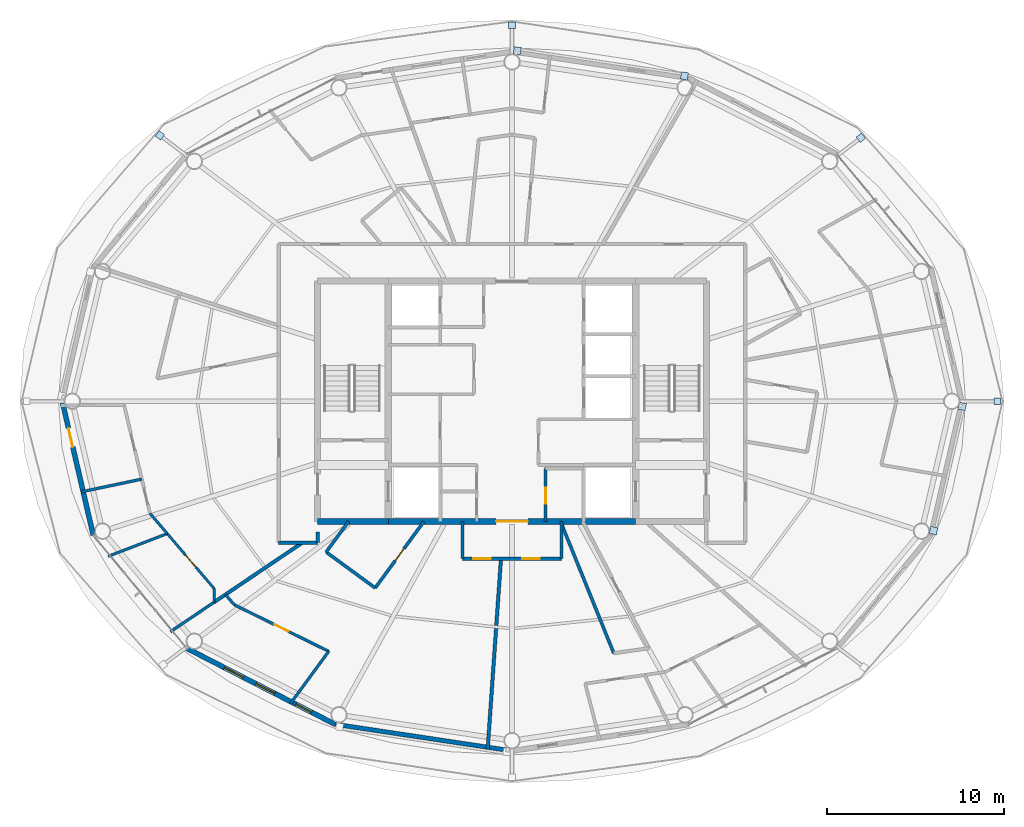
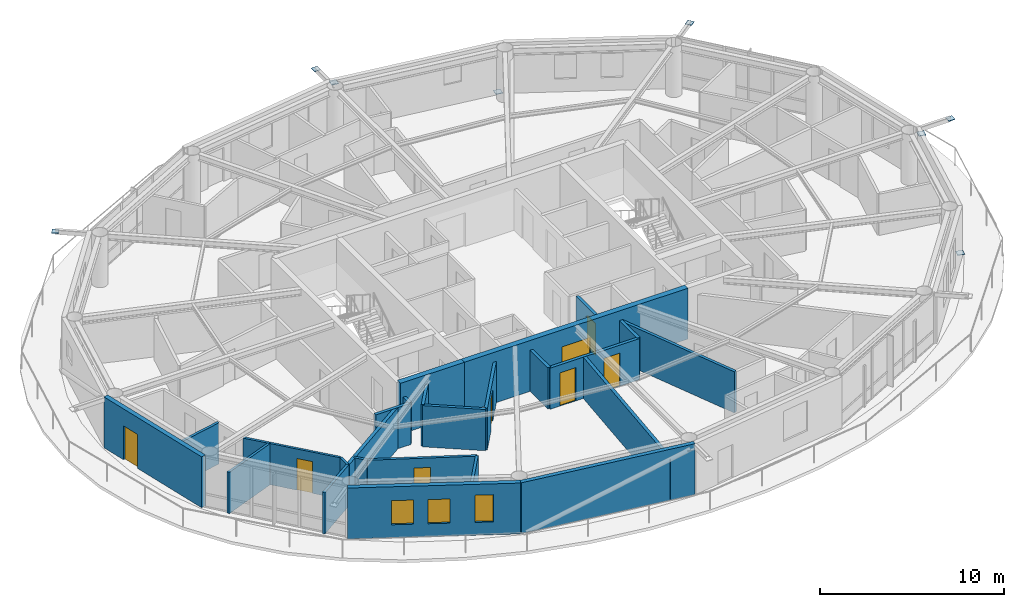
# One storey, part 15 of 22: 26 walls, 8 doors, 8 plates, 3 windows, 11 openings.
"""IFC4 building model written with IfcOpenShell, lengths in metres."""

from ifc_helpers import new_model, si_unit, direction, frame, frame_2d, origin, origin_2d, place, context, subcontext, project, spatial, rectangle, extrude, material, layer, layer_set, type_object, element, fill, save


model = new_model("IFC4")

# Units and contexts
model_context = context("Model", 3, precision=1e-05, world=origin(), true_north=direction((0.0, 1.0)))
body_context = subcontext(model_context, "Body", "Model", "MODEL_VIEW")
ifc_project = project(units=[si_unit("LENGTHUNIT", "METRE"), si_unit("AREAUNIT", "SQUARE_METRE"), si_unit("VOLUMEUNIT", "CUBIC_METRE"), si_unit("PLANEANGLEUNIT", "RADIAN"), si_unit("MASSUNIT", "GRAM", prefix="KILO")], contexts=[model_context])

# Site, building, storey
site_placement = place(None, origin())
site = spatial("IfcSite", under=ifc_project, at=site_placement, CompositionType="ELEMENT")
building_placement = place(site_placement, origin())
building = spatial("IfcBuilding", under=site, at=building_placement, Name="Sarneth Arch Tower", CompositionType="ELEMENT")
storey_placement = place(building_placement, frame((0.0, 0.0, 294.60009765625)))
storey = spatial("IfcBuildingStorey", under=building, at=storey_placement, Name="L76", CompositionType="ELEMENT", Elevation=294.60009765625)

# Plates
ifc_material_1 = material(Name="Steel S355", Category="steel")
ifc_layer_1 = layer(ifc_material_1, 0.035888671875)
ifc_layer_set_1 = layer_set([ifc_layer_1], Name="Steel S355")
plate_type = type_object("IfcPlateType", Name="PLT-GUSSET-30", PredefinedType="SHEET", material=ifc_layer_set_1)
for number, where, z_axis, x_axis, name in (
    (1, (75.45947265625, 42.0, 3.19189453125), (0.0, 0.0, 1.0), (1.0, 0.0, 0.0), "Steel end cap plate GP-1"),
    (2, (67.7412109375, 56.910400390625, 3.19189453125), (0.0, 0.0, 1.0), (0.798004853043, 0.602651022168, 0.0), "Steel end cap plate GP-1"),
):
    element("IfcPlate", number, at=place(storey_placement, frame(where, z_axis=z_axis, x_axis=x_axis)), inside=storey, type_object=plate_type, Name=name, PredefinedType="SHEET", context=body_context, shape_type="SweptSolid", body=[
        extrude(rectangle(XDim=0.3798828125, YDim=0.3798828125, at=origin_2d()), origin(), (0.0, 0.0, 1.0), 0.035888671875),
    ])
for number, where, z_axis, x_axis, name in (
    (3, (57.754150390625, 60.411376953125, 0.001953125), (0.0, 0.0, 1.0), (-0.988860535448, 0.148845024885, 0.0), "Steel end cap plate GP-1"),
    (4, (48.296630859375, 61.83544921875, 3.07421875), (0.0, 0.0, 1.0), (-0.988860535448, 0.148845024885, 0.0), "Steel end cap plate GP-1"),
):
    element("IfcPlate", number, at=place(storey_placement, frame(where, z_axis=z_axis, x_axis=x_axis)), inside=storey, type_object=plate_type, Name=name, PredefinedType="SHEET", context=body_context, shape_type="SweptSolid", body=[
        extrude(rectangle(XDim=0.404052734375, YDim=0.404052734375, at=origin_2d()), origin(), (0.0, 0.0, 1.0), 0.035888671875),
    ])
for number, where, z_axis, x_axis, name in (
    (5, (48.0, 63.273681640625, 3.19189453125), (0.0, 0.0, 1.0), (0.0, 1.0, 0.0), "Steel end cap plate GP-1"),
    (6, (28.080322265625, 57.045166015625, 3.19189453125), (0.0, 0.0, 1.0), (-0.798004853043, 0.602651022168, 0.0), "Steel end cap plate GP-1"),
):
    element("IfcPlate", number, at=place(storey_placement, frame(where, z_axis=z_axis, x_axis=x_axis)), inside=storey, type_object=plate_type, Name=name, PredefinedType="SHEET", context=body_context, shape_type="SweptSolid", body=[
        extrude(rectangle(XDim=0.3798828125, YDim=0.3798828125, at=origin_2d()), origin(), (0.0, 0.0, 1.0), 0.035888671875),
    ])
for number, where, z_axis, x_axis, name in (
    (7, (71.851806640625, 34.6845703125, 0.001953125), (0.0, 0.0, 1.0), (0.225461202458, 0.974252147129, 0.0), "Steel end cap plate GP-1"),
    (8, (73.4765625, 41.707763671875, 3.07421875), (0.0, 0.0, 1.0), (0.225461202458, 0.974252147129, 0.0), "Steel end cap plate GP-1"),
):
    element("IfcPlate", number, at=place(storey_placement, frame(where, z_axis=z_axis, x_axis=x_axis)), inside=storey, type_object=plate_type, Name=name, PredefinedType="SHEET", context=body_context, shape_type="SweptSolid", body=[
        extrude(rectangle(XDim=0.404052734375, YDim=0.404052734375, at=origin_2d()), origin(), (0.0, 0.0, 1.0), 0.035888671875),
    ])

# Wall
ifc_material_2 = material(Name="Concrete C50/60", Category="concrete")
ifc_layer_2 = layer(ifc_material_2, 0.35009765625)
ifc_layer_set_2 = layer_set([ifc_layer_2], Name="Concrete C50/60")
wall_type_1 = type_object("IfcWallType", Name="WALL-CORE-350", PredefinedType="SHEAR", material=ifc_layer_set_2)
wall_1_placement = place(storey_placement, frame((37.0, 35.199951171875, 0.0), z_axis=(0.0, 0.0, 1.0), x_axis=(1.0, 0.0, 0.0)))
element("IfcWall", 9, at=wall_1_placement, inside=storey, type_object=wall_type_1, Name="L76 Core shear wall S-W", PredefinedType="SHEAR", context=body_context, shape_type="SweptSolid", body=[
    extrude(rectangle(XDim=4.0, YDim=0.35009765625, at=frame_2d((2.0, 0.0))), origin(), (0.0, 0.0, 1.0), 3.369873046875),
])

# Wall, opening, door
wall_2_placement = place(storey_placement, frame((41.0, 35.199951171875, 0.0), z_axis=(0.0, 0.0, 1.0), x_axis=(1.0, 0.0, 0.0)))
wall_2 = element("IfcWall", 10, at=wall_2_placement, inside=storey, type_object=wall_type_1, Name="L76 Core shear wall S-M", PredefinedType="SHEAR", context=body_context, shape_type="SweptSolid", body=[
    extrude(rectangle(XDim=14.0, YDim=0.35009765625, at=frame_2d((7.0, 0.0))), origin(), (0.0, 0.0, 1.0), 3.369873046875),
])
opening_1_placement = place(wall_2_placement, frame((6.10009765625, 0.0, 0.0)))
opening_1 = element("IfcOpeningElement", 11, at=opening_1_placement, cuts=wall_2, Name="Opening FD-01", PredefinedType="OPENING", context=body_context, shape_type="SweptSolid", body=[
    extrude(rectangle(XDim=1.800048828125, YDim=2.25, at=frame_2d((0.89990234375, 1.125))), frame((0.0, 0.18505859375, 0.0), z_axis=(0.0, -1.0, 0.0), x_axis=(1.0, 0.0, 0.0)), (0.0, 0.0, 1.0), 0.3701171875),
])
ifc_material_3 = material(Name="Galvanised Steel S275 fire door set", Category="steel")
door_type_1 = type_object("IfcDoorType", Name="DR-FD90-1800", OperationType="DOUBLE_DOOR_SINGLE_SWING", PredefinedType="DOOR", material=ifc_material_3)
door_1_placement = place(opening_1_placement, origin())
door_1 = element("IfcDoor", 12, at=door_1_placement, inside=storey, type_object=door_type_1, Name="L76 Central lift lobby south door", OperationType="DOUBLE_DOOR_SINGLE_SWING", OverallHeight=2.25, OverallWidth=1.800048828125, PredefinedType="DOOR", context=body_context, shape_type="SweptSolid", body=[
    extrude(rectangle(XDim=1.800048828125, YDim=2.25, at=frame_2d((0.89990234375, 1.125))), frame((0.0, 0.02490234375, 0.0), z_axis=(0.0, -1.0, 0.0), x_axis=(1.0, 0.0, 0.0)), (0.0, 0.0, 1.0), 0.050048828125),
])
fill(opening_1, door_1)

# Wall, openings, doors
ifc_material_4 = material(Name="Double steel-stud corridor fire wall", Category="steel")
ifc_layer_3 = layer(ifc_material_4, 0.18994140625)
ifc_layer_set_3 = layer_set([ifc_layer_3], Name="Double steel-stud corridor fire wall")
wall_type_2 = type_object("IfcWallType", Name="WALL-CORR-190", PredefinedType="PARTITIONING", material=ifc_layer_set_3)
wall_3_placement = place(storey_placement, frame((50.800048828125, 33.10009765625, 0.0), z_axis=(0.0, 0.0, 1.0), x_axis=(-1.0, 0.0, 0.0)))
wall_3 = element("IfcWall", 13, at=wall_3_placement, inside=storey, type_object=wall_type_2, Name="L76 Interior partition W-L76-TP-025", PredefinedType="PARTITIONING", context=body_context, shape_type="SweptSolid", body=[
    extrude(rectangle(XDim=5.60009765625, YDim=0.18994140625, at=frame_2d((2.800048828125, 0.0))), origin(), (0.0, 0.0, 1.0), 2.72998046875),
])
opening_2_placement = place(wall_3_placement, frame((1.227294921875, 0.0, 0.0)))
opening_2 = element("IfcOpeningElement", 14, at=opening_2_placement, cuts=wall_3, Name="Opening FD-08", PredefinedType="OPENING", context=body_context, shape_type="SweptSolid", body=[
    extrude(rectangle(XDim=1.0, YDim=2.199951171875, at=frame_2d((0.5, 1.10009765625))), frame((0.0, 0.10498046875, 0.0), z_axis=(0.0, -1.0, 0.0), x_axis=(1.0, 0.0, 0.0)), (0.0, 0.0, 1.0), 0.2099609375),
])
opening_3_placement = place(wall_3_placement, frame((3.9951171875, 0.0, 0.0)))
opening_3 = element("IfcOpeningElement", 15, at=opening_3_placement, cuts=wall_3, Name="Opening FD-08", PredefinedType="OPENING", context=body_context, shape_type="SweptSolid", body=[
    extrude(rectangle(XDim=1.0, YDim=2.199951171875, at=frame_2d((0.5, 1.10009765625))), frame((0.0, 0.10498046875, 0.0), z_axis=(0.0, -1.0, 0.0), x_axis=(1.0, 0.0, 0.0)), (0.0, 0.0, 1.0), 0.2099609375),
])
ifc_material_5 = material(Name="Hardwood timber acoustic fire door", Category="wood")
door_type_2 = type_object("IfcDoorType", Name="DR-FD60-1000", OperationType="SINGLE_SWING_LEFT", PredefinedType="DOOR", material=ifc_material_5)
door_2_placement = place(opening_2_placement, origin())
door_2 = element("IfcDoor", 16, at=door_2_placement, inside=storey, type_object=door_type_2, Name="L76 Interior door DR-L76-U6-ENT", OperationType="SINGLE_SWING_RIGHT", OverallHeight=2.199951171875, OverallWidth=1.0, PredefinedType="DOOR", context=body_context, shape_type="SweptSolid", body=[
    extrude(rectangle(XDim=1.0, YDim=2.199951171875, at=frame_2d((0.5, 1.10009765625))), frame((0.0, 0.02490234375, 0.0), z_axis=(0.0, -1.0, 0.0), x_axis=(1.0, 0.0, 0.0)), (0.0, 0.0, 1.0), 0.050048828125),
])
fill(opening_2, door_2)
door_3_placement = place(opening_3_placement, origin())
door_3 = element("IfcDoor", 17, at=door_3_placement, inside=storey, type_object=door_type_2, Name="L76 Interior door DR-L76-U5-ENT", OperationType="SINGLE_SWING_RIGHT", OverallHeight=2.199951171875, OverallWidth=1.0, PredefinedType="DOOR", context=body_context, shape_type="SweptSolid", body=[
    extrude(rectangle(XDim=1.0, YDim=2.199951171875, at=frame_2d((0.5, 1.10009765625))), frame((0.0, 0.02490234375, 0.0), z_axis=(0.0, -1.0, 0.0), x_axis=(1.0, 0.0, 0.0)), (0.0, 0.0, 1.0), 0.050048828125),
])
fill(opening_3, door_3)

# Walls
for number, where, z_axis, x_axis, name in (
    (18, (45.199951171875, 33.10009765625, 0.0), (0.0, 0.0, 1.0), (0.0, 1.0, 0.0), "L76 Interior partition W-L76-TP-023"),
    (19, (50.800048828125, 35.199951171875, 0.0), (0.0, 0.0, 1.0), (0.0, -1.0, 0.0), "L76 Interior partition W-L76-TP-024"),
):
    element("IfcWall", number, at=place(storey_placement, frame(where, z_axis=z_axis, x_axis=x_axis)), inside=storey, type_object=wall_type_2, Name=name, PredefinedType="PARTITIONING", context=body_context, shape_type="SweptSolid", body=[
        extrude(rectangle(XDim=2.099853515625, YDim=0.18994140625, at=frame_2d((1.0498046875, 0.0))), origin(), (0.0, 0.0, 1.0), 2.72998046875),
    ])
wall_4_placement = place(storey_placement, frame((37.0, 34.0, 0.0), z_axis=(0.0, 0.0, 1.0), x_axis=(-1.0, 0.0, 0.0)))
element("IfcWall", 20, at=wall_4_placement, inside=storey, type_object=wall_type_2, Name="L76 Interior partition W-L76-TP-012", PredefinedType="PARTITIONING", context=body_context, shape_type="SweptSolid", body=[
    extrude(rectangle(XDim=2.199951171875, YDim=0.18994140625, at=frame_2d((1.10009765625, 0.0))), origin(), (0.0, 0.0, 1.0), 2.72998046875),
])
wall_5_placement = place(storey_placement, frame((37.0, 34.618896484375, 0.0), z_axis=(0.0, 0.0, 1.0), x_axis=(0.0, -1.0, 0.0)))
element("IfcWall", 21, at=wall_5_placement, inside=storey, type_object=wall_type_2, Name="L76 Interior partition W-L76-TP-015", PredefinedType="PARTITIONING", context=body_context, shape_type="SweptSolid", body=[
    extrude(rectangle(XDim=0.618896484375, YDim=0.18994140625, at=frame_2d((0.3095703125, 0.0))), origin(), (0.0, 0.0, 1.0), 2.72998046875),
])
ifc_material_6 = material(Name="Extruded terracotta rainscreen on Concrete C40/50 backing", Category="masonry")
ifc_layer_4 = layer(ifc_material_6, 0.25)
ifc_layer_set_4 = layer_set([ifc_layer_4], Name="Extruded terracotta rainscreen on Concrete C40/50 backing")
wall_type_3 = type_object("IfcWallType", Name="WALL-EXT-SPAND-250", PredefinedType="SOLIDWALL", material=ifc_layer_set_4)
wall_6_placement = place(storey_placement, frame((37.9873046875, 23.7255859375, 0.0), z_axis=(0.0, 0.0, 1.0), x_axis=(0.988882522213, -0.148698881169, 0.0)))
element("IfcWall", 22, at=wall_6_placement, inside=storey, type_object=wall_type_3, Name="L76 Terracotta perimeter wall 12", PredefinedType="SOLIDWALL", context=body_context, shape_type="SweptSolid", body=[
    extrude(rectangle(XDim=10.125244140625, YDim=0.25, at=frame_2d((5.0625, 0.0))), origin(), (0.0, 0.0, 1.0), 3.369873046875),
])

# Wall, opening, door
ifc_material_7 = material(Name="Extruded terracotta rainscreen on Concrete C40/50 backing", Category="masonry")
ifc_layer_5 = layer(ifc_material_7, 0.280029296875)
ifc_layer_set_5 = layer_set([ifc_layer_5], Name="Extruded terracotta rainscreen on Concrete C40/50 backing")
wall_type_4 = type_object("IfcWallType", Name="WALL-EXT-TERRA-280", PredefinedType="SOLIDWALL", material=ifc_layer_set_5)
wall_7_placement = place(storey_placement, frame((22.552978515625, 42.0, 0.0), z_axis=(0.0, 0.0, 1.0), x_axis=(0.225635078214, -0.974211892495, 0.0)))
wall_7 = element("IfcWall", 23, at=wall_7_placement, inside=storey, type_object=wall_type_4, Name="L76 Terracotta perimeter wall 09", PredefinedType="SOLIDWALL", context=body_context, shape_type="SweptSolid", body=[
    extrude(rectangle(XDim=7.77001953125, YDim=0.280029296875, at=frame_2d((3.885009765625, 0.0))), origin(), (0.0, 0.0, 1.0), 3.369873046875),
])
opening_4_placement = place(wall_7_placement, frame((1.55712890625, 0.0, 0.0)))
opening_4 = element("IfcOpeningElement", 24, at=opening_4_placement, cuts=wall_7, Name="Opening BD-3", PredefinedType="OPENING", context=body_context, shape_type="SweptSolid", body=[
    extrude(rectangle(XDim=1.10009765625, YDim=2.25, at=frame_2d((0.550048828125, 1.125))), frame((0.0, 0.14990234375, 0.0), z_axis=(0.0, -1.0, 0.0), x_axis=(1.0, 0.0, 0.0)), (0.0, 0.0, 1.0), 0.300048828125),
])
ifc_material_8 = material(Name="Thermally broken Aluminium 6063-T6 and laminated safety glass", Category="aluminium")
door_type_3 = type_object("IfcDoorType", Name="DR-BALC-GLZ-1100", OperationType="SINGLE_SWING_LEFT", PredefinedType="DOOR", material=ifc_material_8)
door_4_placement = place(opening_4_placement, origin())
door_4 = element("IfcDoor", 25, at=door_4_placement, inside=storey, type_object=door_type_3, Name="L76 Balcony glazed door 09", OperationType="SINGLE_SWING_LEFT", OverallHeight=2.25, OverallWidth=1.10009765625, PredefinedType="DOOR", context=body_context, shape_type="SweptSolid", body=[
    extrude(rectangle(XDim=1.10009765625, YDim=2.25, at=frame_2d((0.550048828125, 1.125))), frame((0.0, 0.02490234375, 0.0), z_axis=(0.0, -1.0, 0.0), x_axis=(1.0, 0.0, 0.0)), (0.0, 0.0, 1.0), 0.050048828125),
])
fill(opening_4, door_4)

# Wall, openings, windows
wall_8_placement = place(storey_placement, frame((29.617431640625, 28.013427734375, 0.0), z_axis=(0.0, 0.0, 1.0), x_axis=(0.890007394051, -0.455946091699, 0.0)))
wall_8 = element("IfcWall", 26, at=wall_8_placement, inside=storey, type_object=wall_type_4, Name="L76 Terracotta perimeter wall 11", PredefinedType="SOLIDWALL", context=body_context, shape_type="SweptSolid", body=[
    extrude(rectangle(XDim=9.404296875, YDim=0.280029296875, at=frame_2d((4.7021484375, 0.0))), origin(), (0.0, 0.0, 1.0), 3.369873046875),
])
opening_5_placement = place(wall_8_placement, frame((2.37451171875, 0.0, 0.85009765625)))
opening_5 = element("IfcOpeningElement", 27, at=opening_5_placement, cuts=wall_8, Name="Opening W-10", PredefinedType="OPENING", context=body_context, shape_type="SweptSolid", body=[
    extrude(rectangle(XDim=1.199951171875, YDim=1.60009765625, at=frame_2d((0.60009765625, 0.800048828125))), frame((0.0, 0.14990234375, 0.0), z_axis=(0.0, -1.0, 0.0), x_axis=(1.0, 0.0, 0.0)), (0.0, 0.0, 1.0), 0.300048828125),
])
opening_6_placement = place(wall_8_placement, frame((4.373779296875, 0.0, 0.85009765625)))
opening_6 = element("IfcOpeningElement", 28, at=opening_6_placement, cuts=wall_8, Name="Opening W-10", PredefinedType="OPENING", context=body_context, shape_type="SweptSolid", body=[
    extrude(rectangle(XDim=1.199951171875, YDim=1.60009765625, at=frame_2d((0.60009765625, 0.800048828125))), frame((0.0, 0.14990234375, 0.0), z_axis=(0.0, -1.0, 0.0), x_axis=(1.0, 0.0, 0.0)), (0.0, 0.0, 1.0), 0.300048828125),
])
opening_7_placement = place(wall_8_placement, frame((6.9150390625, 0.0, 0.85009765625)))
opening_7 = element("IfcOpeningElement", 29, at=opening_7_placement, cuts=wall_8, Name="Opening W-11", PredefinedType="OPENING", context=body_context, shape_type="SweptSolid", body=[
    extrude(rectangle(XDim=1.0, YDim=1.800048828125, at=frame_2d((0.5, 0.89990234375))), frame((0.0, 0.14990234375, 0.0), z_axis=(0.0, -1.0, 0.0), x_axis=(1.0, 0.0, 0.0)), (0.0, 0.0, 1.0), 0.300048828125),
])
ifc_material_9 = material(Name="Thermally broken Aluminium 6063-T6 and low-e laminated IGU", Category="aluminium")
window_type_1 = type_object("IfcWindowType", Name="WIN-TWR-1000x1800", PartitioningType="SINGLE_PANEL", PredefinedType="WINDOW", material=ifc_material_9)
window_1_placement = place(opening_7_placement, origin())
window_1 = element("IfcWindow", 30, at=window_1_placement, inside=storey, type_object=window_type_1, Name="L76 Exterior window 11C", OverallHeight=1.800048828125, OverallWidth=1.0, PartitioningType="SINGLE_PANEL", PredefinedType="WINDOW", context=body_context, shape_type="SweptSolid", body=[
    extrude(rectangle(XDim=1.0, YDim=1.800048828125, at=frame_2d((0.5, 0.89990234375))), frame((0.0, 0.030029296875, 0.0), z_axis=(0.0, -1.0, 0.0), x_axis=(1.0, 0.0, 0.0)), (0.0, 0.0, 1.0), 0.06005859375),
])
fill(opening_7, window_1)
ifc_material_10 = material(Name="Thermally broken Aluminium 6063-T6 and low-e laminated IGU", Category="aluminium")
window_type_2 = type_object("IfcWindowType", Name="WIN-TWR-1200x1600", PartitioningType="SINGLE_PANEL", PredefinedType="WINDOW", material=ifc_material_10)
window_2_placement = place(opening_5_placement, origin())
window_2 = element("IfcWindow", 31, at=window_2_placement, inside=storey, type_object=window_type_2, Name="L76 Exterior window 11A", OverallHeight=1.60009765625, OverallWidth=1.199951171875, PartitioningType="SINGLE_PANEL", PredefinedType="WINDOW", context=body_context, shape_type="SweptSolid", body=[
    extrude(rectangle(XDim=1.199951171875, YDim=1.60009765625, at=frame_2d((0.60009765625, 0.800048828125))), frame((0.0, 0.030029296875, 0.0), z_axis=(0.0, -1.0, 0.0), x_axis=(1.0, 0.0, 0.0)), (0.0, 0.0, 1.0), 0.06005859375),
])
fill(opening_5, window_2)
window_3_placement = place(opening_6_placement, origin())
window_3 = element("IfcWindow", 32, at=window_3_placement, inside=storey, type_object=window_type_2, Name="L76 Exterior window 11B", OverallHeight=1.60009765625, OverallWidth=1.199951171875, PartitioningType="SINGLE_PANEL", PredefinedType="WINDOW", context=body_context, shape_type="SweptSolid", body=[
    extrude(rectangle(XDim=1.199951171875, YDim=1.60009765625, at=frame_2d((0.60009765625, 0.800048828125))), frame((0.0, 0.030029296875, 0.0), z_axis=(0.0, -1.0, 0.0), x_axis=(1.0, 0.0, 0.0)), (0.0, 0.0, 1.0), 0.06005859375),
])
fill(opening_6, window_3)

# Wall, opening, door
ifc_material_11 = material(Name="Apartment internal stud partition", Category="gypsum")
ifc_layer_6 = layer(ifc_material_11, 0.139892578125)
ifc_layer_set_6 = layer_set([ifc_layer_6], Name="Apartment internal stud partition")
wall_type_5 = type_object("IfcWallType", Name="WALL-PART-140", PredefinedType="PARTITIONING", material=ifc_layer_set_6)
wall_9_placement = place(storey_placement, frame((28.494384765625, 34.512451171875, 0.0), z_axis=(0.0, 0.0, 1.0), x_axis=(0.649192484668, -0.760624163336, 0.0)))
wall_9 = element("IfcWall", 33, at=wall_9_placement, inside=storey, type_object=wall_type_5, Name="L76 Interior partition W-L76-TP-063", PredefinedType="PARTITIONING", context=body_context, shape_type="SweptSolid", body=[
    extrude(rectangle(XDim=4.090576171875, YDim=0.139892578125, at=frame_2d((2.04541015625, 0.0))), origin(), (0.0, 0.0, 1.0), 2.72998046875),
])
opening_8_placement = place(wall_9_placement, frame((1.59521484375, 0.0, 0.0)))
opening_8 = element("IfcOpeningElement", 34, at=opening_8_placement, cuts=wall_9, Name="Opening ID-01", PredefinedType="OPENING", context=body_context, shape_type="SweptSolid", body=[
    extrude(rectangle(XDim=0.89990234375, YDim=2.10009765625, at=frame_2d((0.449951171875, 1.050048828125))), frame((0.0, 0.079833984375, 0.0), z_axis=(0.0, -1.0, 0.0), x_axis=(1.0, 0.0, 0.0)), (0.0, 0.0, 1.0), 0.159912109375),
])
ifc_material_12 = material(Name="Engineered hardwood flush door", Category="wood")
door_type_4 = type_object("IfcDoorType", Name="DR-INT-900", OperationType="SINGLE_SWING_LEFT", PredefinedType="DOOR", material=ifc_material_12)
door_5_placement = place(opening_8_placement, origin())
door_5 = element("IfcDoor", 35, at=door_5_placement, inside=storey, type_object=door_type_4, Name="L76 Interior door DR-L76-U4-BED2", OperationType="SINGLE_SWING_LEFT", OverallHeight=2.10009765625, OverallWidth=0.89990234375, PredefinedType="DOOR", context=body_context, shape_type="SweptSolid", body=[
    extrude(rectangle(XDim=0.89990234375, YDim=2.10009765625, at=frame_2d((0.449951171875, 1.050048828125))), frame((0.0, 0.02490234375, 0.0), z_axis=(0.0, -1.0, 0.0), x_axis=(1.0, 0.0, 0.0)), (0.0, 0.0, 1.0), 0.050048828125),
])
fill(opening_8, door_5)

# Walls
wall_10_placement = place(storey_placement, frame((31.14990234375, 31.401123046875, 0.0), z_axis=(0.0, 0.0, 1.0), x_axis=(0.0, -1.0, 0.0)))
element("IfcWall", 36, at=wall_10_placement, inside=storey, type_object=wall_type_5, Name="L76 Interior partition W-L76-TP-064", PredefinedType="PARTITIONING", context=body_context, shape_type="SweptSolid", body=[
    extrude(rectangle(XDim=0.7666015625, YDim=0.139892578125, at=frame_2d((0.38330078125, 0.0))), origin(), (0.0, 0.0, 1.0), 2.72998046875),
])
ifc_material_13 = material(Name="Acoustic gypsum stud partition", Category="gypsum")
ifc_layer_7 = layer(ifc_material_13, 0.14990234375)
ifc_layer_set_7 = layer_set([ifc_layer_7], Name="Acoustic gypsum stud partition")
wall_type_6 = type_object("IfcWallType", Name="WALL-PART-150", PredefinedType="PARTITIONING", material=ifc_layer_set_7)
wall_11_placement = place(storey_placement, frame((28.494384765625, 34.512451171875, 0.0), z_axis=(0.0, 0.0, 1.0), x_axis=(-0.933587977353, -0.358348278274, 0.0)))
element("IfcWall", 37, at=wall_11_placement, inside=storey, type_object=wall_type_6, Name="L76 Interior partition W-L76-TP-068", PredefinedType="PARTITIONING", context=body_context, shape_type="SweptSolid", body=[
    extrude(rectangle(XDim=3.57958984375, YDim=0.14990234375, at=frame_2d((1.789794921875, 0.0))), origin(), (0.0, 0.0, 1.0), 2.72998046875),
])
wall_12_placement = place(storey_placement, frame((27.51904296875, 35.655029296875, 0.0), z_axis=(0.0, 0.0, 1.0), x_axis=(0.649250915383, -0.760574288859, 0.0)))
element("IfcWall", 38, at=wall_12_placement, inside=storey, type_object=wall_type_6, Name="L76 Interior partition W-L76-TP-062", PredefinedType="PARTITIONING", context=body_context, shape_type="SweptSolid", body=[
    extrude(rectangle(XDim=1.502197265625, YDim=0.14990234375, at=frame_2d((0.7509765625, 0.0))), origin(), (0.0, 0.0, 1.0), 2.72998046875),
])

# Wall, opening, door
ifc_material_14 = material(Name="Kitchen wet service chase wall", Category="gypsum")
ifc_layer_8 = layer(ifc_material_14, 0.159912109375)
ifc_layer_set_8 = layer_set([ifc_layer_8], Name="Kitchen wet service chase wall")
wall_type_7 = type_object("IfcWallType", Name="WALL-PLUMB-160", PredefinedType="PLUMBINGWALL", material=ifc_layer_set_8)
wall_13_placement = place(storey_placement, frame((37.630126953125, 27.852294921875, 0.0), z_axis=(0.0, 0.0, 1.0), x_axis=(-0.896847493932, 0.442339883605, 0.0)))
wall_13 = element("IfcWall", 39, at=wall_13_placement, inside=storey, type_object=wall_type_7, Name="L76 Interior partition W-L76-TP-074", PredefinedType="PLUMBINGWALL", context=body_context, shape_type="SweptSolid", body=[
    extrude(rectangle(XDim=5.959228515625, YDim=0.159912109375, at=frame_2d((2.9794921875, 0.0))), origin(), (0.0, 0.0, 1.0), 2.72998046875),
])
opening_9_placement = place(wall_13_placement, frame((2.529541015625, 0.0, 0.0)))
opening_9 = element("IfcOpeningElement", 40, at=opening_9_placement, cuts=wall_13, Name="Opening ID-01", PredefinedType="OPENING", context=body_context, shape_type="SweptSolid", body=[
    extrude(rectangle(XDim=0.89990234375, YDim=2.10009765625, at=frame_2d((0.449951171875, 1.050048828125))), frame((0.0, 0.08984375, 0.0), z_axis=(0.0, -1.0, 0.0), x_axis=(1.0, 0.0, 0.0)), (0.0, 0.0, 1.0), 0.179931640625),
])
door_6_placement = place(opening_9_placement, origin())
door_6 = element("IfcDoor", 41, at=door_6_placement, inside=storey, type_object=door_type_4, Name="L76 Interior door DR-L76-U5-KIT", OperationType="SINGLE_SWING_LEFT", OverallHeight=2.10009765625, OverallWidth=0.89990234375, PredefinedType="DOOR", context=body_context, shape_type="SweptSolid", body=[
    extrude(rectangle(XDim=0.89990234375, YDim=2.10009765625, at=frame_2d((0.449951171875, 1.050048828125))), frame((0.0, 0.02490234375, 0.0), z_axis=(0.0, -1.0, 0.0), x_axis=(1.0, 0.0, 0.0)), (0.0, 0.0, 1.0), 0.050048828125),
])
fill(opening_9, door_6)

# Walls
wall_14_placement = place(storey_placement, frame((35.4580078125, 24.888427734375, 0.0), z_axis=(0.0, 0.0, 1.0), x_axis=(0.591118806012, 0.806584500954, 0.0)))
element("IfcWall", 42, at=wall_14_placement, inside=storey, type_object=wall_type_7, Name="L76 Interior partition W-L76-TP-073", PredefinedType="PLUMBINGWALL", context=body_context, shape_type="SweptSolid", body=[
    extrude(rectangle(XDim=3.674560546875, YDim=0.159912109375, at=frame_2d((1.83740234375, 0.0))), origin(), (0.0, 0.0, 1.0), 2.72998046875),
])
wall_15_placement = place(storey_placement, frame((27.055419921875, 37.5966796875, 0.0), z_axis=(0.0, 0.0, 1.0), x_axis=(-0.978617562331, -0.205688275545, 0.0)))
element("IfcWall", 43, at=wall_15_placement, inside=storey, type_object=wall_type_7, Name="L76 Interior partition W-L76-TP-067", PredefinedType="PLUMBINGWALL", context=body_context, shape_type="SweptSolid", body=[
    extrude(rectangle(XDim=3.513427734375, YDim=0.159912109375, at=frame_2d((1.7568359375, 0.0))), origin(), (0.0, 0.0, 1.0), 2.72998046875),
])
wall_16_placement = place(storey_placement, frame((31.14990234375, 30.634521484375, 0.0), z_axis=(0.0, 0.0, 1.0), x_axis=(-0.82904391661, -0.559183497907, 0.0)))
element("IfcWall", 44, at=wall_16_placement, inside=storey, type_object=wall_type_7, Name="L76 Interior partition W-L76-TP-069", PredefinedType="PLUMBINGWALL", context=body_context, shape_type="SweptSolid", body=[
    extrude(rectangle(XDim=2.985595703125, YDim=0.159912109375, at=frame_2d((1.49267578125, 0.0))), origin(), (0.0, 0.0, 1.0), 2.72998046875),
])
wall_17_placement = place(storey_placement, frame((32.28564453125, 30.48828125, 0.0), z_axis=(0.0, 0.0, 1.0), x_axis=(-0.651714881855, 0.758464048435, 0.0)))
element("IfcWall", 45, at=wall_17_placement, inside=storey, type_object=wall_type_7, Name="L76 Interior partition W-L76-TP-075", PredefinedType="PLUMBINGWALL", context=body_context, shape_type="SweptSolid", body=[
    extrude(rectangle(XDim=0.761474609375, YDim=0.159912109375, at=frame_2d((0.380859375, 0.0))), origin(), (0.0, 0.0, 1.0), 2.72998046875),
])

# Wall, opening, door
ifc_material_15 = material(Name="Moisture-resistant plumbing chase wall", Category="gypsum")
ifc_layer_9 = layer(ifc_material_15, 0.179931640625)
ifc_layer_set_9 = layer_set([ifc_layer_9], Name="Moisture-resistant plumbing chase wall")
wall_type_8 = type_object("IfcWallType", Name="WALL-PLUMB-180", PredefinedType="PLUMBINGWALL", material=ifc_layer_set_9)
wall_18_placement = place(storey_placement, frame((49.89990234375, 35.199951171875, 0.0), z_axis=(0.0, 0.0, 1.0), x_axis=(0.0, 1.0, 0.0)))
wall_18 = element("IfcWall", 46, at=wall_18_placement, inside=storey, type_object=wall_type_8, Name="L76 Interior partition W-L76-AWC-W", PredefinedType="PLUMBINGWALL", context=body_context, shape_type="SweptSolid", body=[
    extrude(rectangle(XDim=3.0, YDim=0.179931640625, at=frame_2d((1.5, 0.0))), origin(), (0.0, 0.0, 1.0), 2.72998046875),
])
opening_10_placement = place(wall_18_placement, frame((1.0, 0.0, 0.0)))
opening_10 = element("IfcOpeningElement", 47, at=opening_10_placement, cuts=wall_18, Name="Opening ID-01", PredefinedType="OPENING", context=body_context, shape_type="SweptSolid", body=[
    extrude(rectangle(XDim=0.89990234375, YDim=2.10009765625, at=frame_2d((0.449951171875, 1.050048828125))), frame((0.0, 0.099853515625, 0.0), z_axis=(0.0, -1.0, 0.0), x_axis=(1.0, 0.0, 0.0)), (0.0, 0.0, 1.0), 0.199951171875),
])
door_7_placement = place(opening_10_placement, origin())
door_7 = element("IfcDoor", 48, at=door_7_placement, inside=storey, type_object=door_type_4, Name="L76 Interior door DR-L76-AWC", OperationType="SINGLE_SWING_RIGHT", OverallHeight=2.10009765625, OverallWidth=0.89990234375, PredefinedType="DOOR", context=body_context, shape_type="SweptSolid", body=[
    extrude(rectangle(XDim=0.89990234375, YDim=2.10009765625, at=frame_2d((0.449951171875, 1.050048828125))), frame((0.0, 0.02490234375, 0.0), z_axis=(0.0, -1.0, 0.0), x_axis=(1.0, 0.0, 0.0)), (0.0, 0.0, 1.0), 0.050048828125),
])
fill(opening_10, door_7)

# Wall
wall_19_placement = place(storey_placement, frame((50.800048828125, 35.069580078125, 0.0), z_axis=(0.0, 0.0, 1.0), x_axis=(0.374600990238, -0.927186118378, 0.0)))
element("IfcWall", 49, at=wall_19_placement, inside=storey, type_object=wall_type_8, Name="L76 Interior partition W-L76-TP-079", PredefinedType="PLUMBINGWALL", context=body_context, shape_type="SweptSolid", body=[
    extrude(rectangle(XDim=7.90087890625, YDim=0.179931640625, at=frame_2d((3.950439453125, 0.0))), origin(), (0.0, 0.0, 1.0), 2.72998046875),
])

# Wall, opening, door
wall_20_placement = place(storey_placement, frame((40.259033203125, 31.438720703125, 0.0), z_axis=(0.0, 0.0, 1.0), x_axis=(0.591168457908, 0.806548110391, 0.0)))
wall_20 = element("IfcWall", 50, at=wall_20_placement, inside=storey, type_object=wall_type_8, Name="L76 Interior partition W-L76-TP-072", PredefinedType="PLUMBINGWALL", context=body_context, shape_type="SweptSolid", body=[
    extrude(rectangle(XDim=4.663330078125, YDim=0.179931640625, at=frame_2d((2.33154296875, 0.0))), origin(), (0.0, 0.0, 1.0), 2.72998046875),
])
opening_11_placement = place(wall_20_placement, frame((1.90673828125, 0.0, 0.0)))
opening_11 = element("IfcOpeningElement", 51, at=opening_11_placement, cuts=wall_20, Name="Opening ID-02", PredefinedType="OPENING", context=body_context, shape_type="SweptSolid", body=[
    extrude(rectangle(XDim=0.85009765625, YDim=2.10009765625, at=frame_2d((0.425048828125, 1.050048828125))), frame((0.0, 0.099853515625, 0.0), z_axis=(0.0, -1.0, 0.0), x_axis=(1.0, 0.0, 0.0)), (0.0, 0.0, 1.0), 0.199951171875),
])
ifc_material_16 = material(Name="Moisture-resistant bathroom timber door", Category="wood")
door_type_5 = type_object("IfcDoorType", Name="DR-INT-850", OperationType="SINGLE_SWING_RIGHT", PredefinedType="DOOR", material=ifc_material_16)
door_8_placement = place(opening_11_placement, origin())
door_8 = element("IfcDoor", 52, at=door_8_placement, inside=storey, type_object=door_type_5, Name="L76 Interior door DR-L76-U5-BATH", OperationType="SINGLE_SWING_RIGHT", OverallHeight=2.10009765625, OverallWidth=0.85009765625, PredefinedType="DOOR", context=body_context, shape_type="SweptSolid", body=[
    extrude(rectangle(XDim=0.85009765625, YDim=2.10009765625, at=frame_2d((0.425048828125, 1.050048828125))), frame((0.0, 0.02490234375, 0.0), z_axis=(0.0, -1.0, 0.0), x_axis=(1.0, 0.0, 0.0)), (0.0, 0.0, 1.0), 0.050048828125),
])
fill(opening_11, door_8)

# Walls
wall_21_placement = place(storey_placement, frame((37.486328125, 33.470947265625, 0.0), z_axis=(0.0, 0.0, 1.0), x_axis=(0.80655624282, -0.59115736244, 0.0)))
element("IfcWall", 53, at=wall_21_placement, inside=storey, type_object=wall_type_8, Name="L76 Interior partition W-L76-TP-071", PredefinedType="PLUMBINGWALL", context=body_context, shape_type="SweptSolid", body=[
    extrude(rectangle(XDim=3.437744140625, YDim=0.179931640625, at=frame_2d((1.71875, 0.0))), origin(), (0.0, 0.0, 1.0), 2.72998046875),
])
wall_22_placement = place(storey_placement, frame((38.75390625, 35.199951171875, 0.0), z_axis=(0.0, 0.0, 1.0), x_axis=(-0.591255046212, -0.806484637379, 0.0)))
element("IfcWall", 54, at=wall_22_placement, inside=storey, type_object=wall_type_8, Name="L76 Interior partition W-L76-TP-070", PredefinedType="PLUMBINGWALL", context=body_context, shape_type="SweptSolid", body=[
    extrude(rectangle(XDim=2.143798828125, YDim=0.179931640625, at=frame_2d((1.07177734375, 0.0))), origin(), (0.0, 0.0, 1.0), 2.72998046875),
])
ifc_material_17 = material(Name="Double steel-stud acoustic drywall", Category="steel")
ifc_layer_10 = layer(ifc_material_17, 0.199951171875)
ifc_layer_set_10 = layer_set([ifc_layer_10], Name="Double steel-stud acoustic drywall")
wall_type_9 = type_object("IfcWallType", Name="WALL-UNIT-200", PredefinedType="PARTITIONING", material=ifc_layer_set_10)
wall_23_placement = place(storey_placement, frame((47.377685546875, 33.10009765625, 0.0), z_axis=(0.0, 0.0, 1.0), x_axis=(-0.069765360577, -0.997563428792, 0.0)))
element("IfcWall", 55, at=wall_23_placement, inside=storey, type_object=wall_type_9, Name="L76 Interior partition W-L76-TP-076", PredefinedType="PARTITIONING", context=body_context, shape_type="SweptSolid", body=[
    extrude(rectangle(XDim=10.8203125, YDim=0.199951171875, at=frame_2d((5.41015625, 0.0))), origin(), (0.0, 0.0, 1.0), 2.72998046875),
])
wall_24_placement = place(storey_placement, frame((31.14990234375, 30.634521484375, 0.0), z_axis=(0.0, 0.0, 1.0), x_axis=(0.829036266652, 0.559194839546, 0.0)))
element("IfcWall", 56, at=wall_24_placement, inside=storey, type_object=wall_type_9, Name="L76 Interior partition W-L76-TP-065", PredefinedType="PARTITIONING", context=body_context, shape_type="SweptSolid", body=[
    extrude(rectangle(XDim=6.0185546875, YDim=0.199951171875, at=frame_2d((3.00927734375, 0.0))), origin(), (0.0, 0.0, 1.0), 2.72998046875),
])

save(model, "model.ifc")
